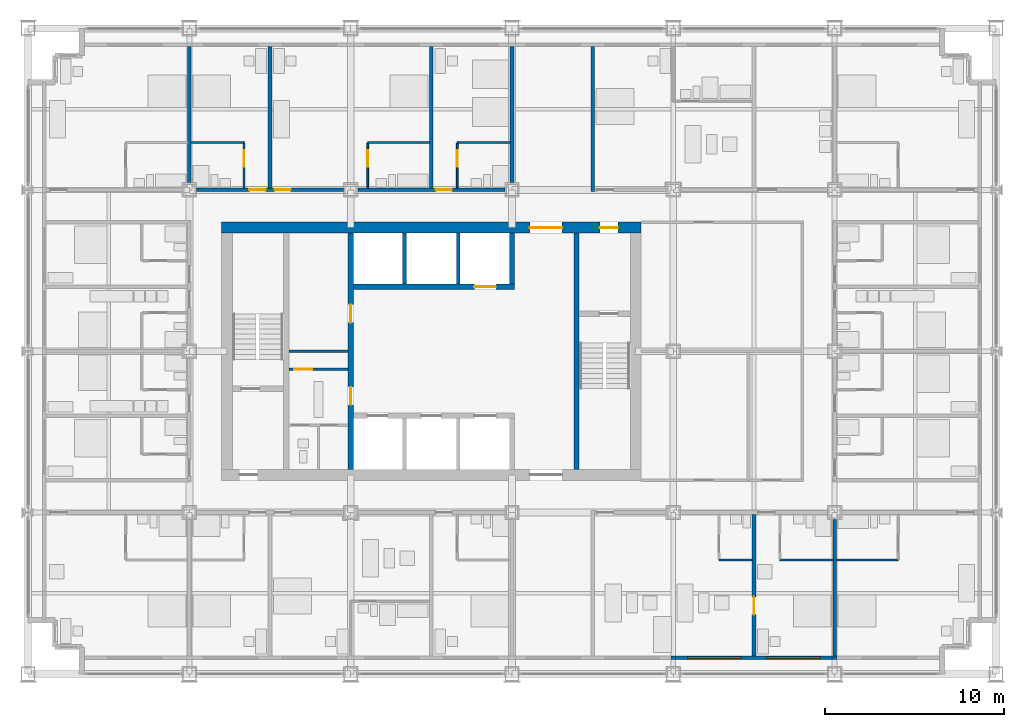
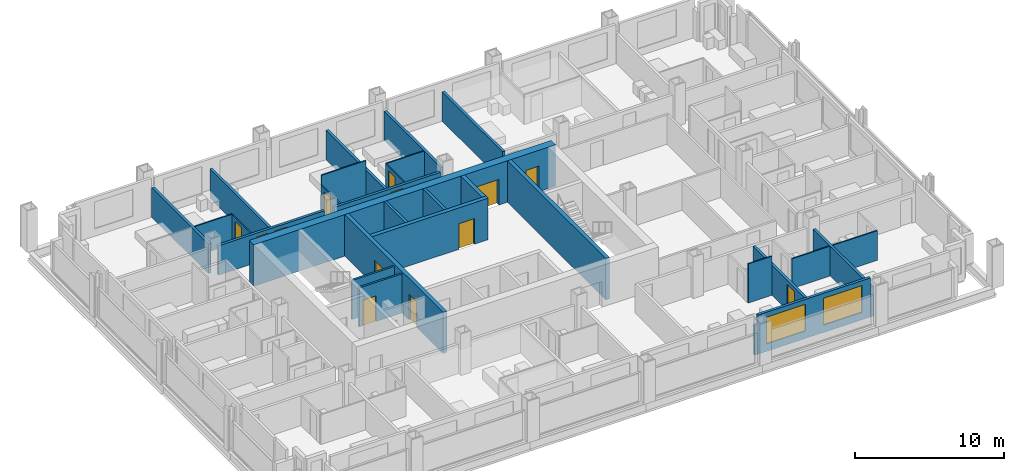
# One storey, part 12 of 18: 30 walls, 13 doors, 2 windows, 15 openings.
"""IFC4 building model written with IfcOpenShell, lengths in metres."""

from ifc_helpers import new_model, si_unit, direction, frame, frame_2d, origin, place, context, subcontext, project, spatial, rectangle, extrude, material, layer, layer_set, type_object, element, fill, save


model = new_model("IFC4")

# Units and contexts
model_context = context("Model", 3, precision=1e-05, world=origin(), true_north=direction((0.0, 1.0)))
body_context = subcontext(model_context, "Body", "Model", "MODEL_VIEW")
ifc_project = project(units=[si_unit("LENGTHUNIT", "METRE"), si_unit("AREAUNIT", "SQUARE_METRE"), si_unit("VOLUMEUNIT", "CUBIC_METRE"), si_unit("PLANEANGLEUNIT", "RADIAN"), si_unit("MASSUNIT", "GRAM", prefix="KILO")], contexts=[model_context])

# Site, building, storey
site_placement = place(None, origin())
site = spatial("IfcSite", under=ifc_project, at=site_placement, CompositionType="ELEMENT")
building_placement = place(site_placement, origin())
building = spatial("IfcBuilding", under=site, at=building_placement, Name="Loomwork Tower", CompositionType="ELEMENT")
storey_placement = place(building_placement, frame((0.0, 0.0, 58.60009765625)))
storey = spatial("IfcBuildingStorey", under=building, at=storey_placement, Name="L14", CompositionType="ELEMENT", Elevation=58.60009765625)

# Wall, openings, doors
ifc_material_1 = material(Name="Concrete 14000 psi (97 MPa)", Category="concrete")
ifc_layer_1 = layer(ifc_material_1, 0.300048828125)
ifc_layer_set_1 = layer_set([ifc_layer_1], Name="Core shear wall 300")
wall_type_1 = type_object("IfcWallType", Name="Core shear wall 300", PredefinedType="SHEAR", material=ifc_layer_set_1)
wall_1_placement = place(storey_placement, frame((18.0, 11.39990234375, 0.0), z_axis=(0.0, 0.0, 1.0), x_axis=(0.0, 1.0, 0.0)))
wall_1 = element("IfcWall", 1, at=wall_1_placement, inside=storey, type_object=wall_type_1, Name="Lobby west wall L14", PredefinedType="SHEAR", context=body_context, shape_type="SweptSolid", body=[
    extrude(rectangle(XDim=13.2001953125, YDim=0.300048828125, at=frame_2d((6.60009765625, 0.0))), origin(), (0.0, 0.0, 1.0), 3.39990234375),
])
opening_1_placement = place(wall_1_placement, frame((3.60009765625, 0.0, 0.0)))
opening_1 = element("IfcOpeningElement", 2, at=opening_1_placement, cuts=wall_1, Name="Opening D5", PredefinedType="OPENING", context=body_context, shape_type="SweptSolid", body=[
    extrude(rectangle(XDim=1.0, YDim=2.10009765625, at=frame_2d((0.5, 1.050048828125))), frame((0.0, 0.159912109375, 0.0), z_axis=(0.0, -1.0, 0.0), x_axis=(1.0, 0.0, 0.0)), (0.0, 0.0, 1.0), 0.320068359375),
])
opening_2_placement = place(wall_1_placement, frame((8.199951171875, 0.0, 0.0)))
opening_2 = element("IfcOpeningElement", 3, at=opening_2_placement, cuts=wall_1, Name="Opening D5", PredefinedType="OPENING", context=body_context, shape_type="SweptSolid", body=[
    extrude(rectangle(XDim=1.0, YDim=2.10009765625, at=frame_2d((0.5, 1.050048828125))), frame((0.0, 0.159912109375, 0.0), z_axis=(0.0, -1.0, 0.0), x_axis=(1.0, 0.0, 0.0)), (0.0, 0.0, 1.0), 0.320068359375),
])
ifc_material_2 = material(Name="Hollow metal door and frame")
door_type_1 = type_object("IfcDoorType", Name="Service door 1000", OperationType="SINGLE_SWING_LEFT", PredefinedType="DOOR", material=ifc_material_2)
door_1_placement = place(opening_1_placement, origin())
door_1 = element("IfcDoor", 4, at=door_1_placement, inside=storey, type_object=door_type_1, Name="Back-of-house door south", OperationType="SINGLE_SWING_LEFT", OverallHeight=2.10009765625, OverallWidth=1.0, PredefinedType="DOOR", context=body_context, shape_type="SweptSolid", body=[
    extrude(rectangle(XDim=1.0, YDim=2.10009765625, at=frame_2d((0.5, 1.050048828125))), frame((0.0, 0.02490234375, 0.0), z_axis=(0.0, -1.0, 0.0), x_axis=(1.0, 0.0, 0.0)), (0.0, 0.0, 1.0), 0.050048828125),
])
fill(opening_1, door_1)
door_2_placement = place(opening_2_placement, origin())
door_2 = element("IfcDoor", 5, at=door_2_placement, inside=storey, type_object=door_type_1, Name="Back-of-house door north", OperationType="SINGLE_SWING_RIGHT", OverallHeight=2.10009765625, OverallWidth=1.0, PredefinedType="DOOR", context=body_context, shape_type="SweptSolid", body=[
    extrude(rectangle(XDim=1.0, YDim=2.10009765625, at=frame_2d((0.5, 1.050048828125))), frame((0.0, 0.02490234375, 0.0), z_axis=(0.0, -1.0, 0.0), x_axis=(1.0, 0.0, 0.0)), (0.0, 0.0, 1.0), 0.050048828125),
])
fill(opening_2, door_2)

# Wall, opening, door
wall_2_placement = place(storey_placement, frame((18.14990234375, 21.60009765625, 0.0), z_axis=(0.0, 0.0, 1.0), x_axis=(1.0, 0.0, 0.0)))
wall_2 = element("IfcWall", 6, at=wall_2_placement, inside=storey, type_object=wall_type_1, Name="Lift front wall north L14", PredefinedType="SHEAR", context=body_context, shape_type="SweptSolid", body=[
    extrude(rectangle(XDim=9.0, YDim=0.300048828125, at=frame_2d((4.5, 0.0))), origin(), (0.0, 0.0, 1.0), 3.39990234375),
])
opening_3_placement = place(wall_2_placement, frame((6.75, 0.0, 0.0)))
opening_3 = element("IfcOpeningElement", 7, at=opening_3_placement, cuts=wall_2, Name="Opening LD2", PredefinedType="OPENING", context=body_context, shape_type="SweptSolid", body=[
    extrude(rectangle(XDim=1.199951171875, YDim=2.10009765625, at=frame_2d((0.60009765625, 1.050048828125))), frame((0.0, 0.159912109375, 0.0), z_axis=(0.0, -1.0, 0.0), x_axis=(1.0, 0.0, 0.0)), (0.0, 0.0, 1.0), 0.320068359375),
])
ifc_material_3 = material(Name="Hollow metal door and frame")
door_type_2 = type_object("IfcDoorType", Name="Lift landing door 1200", OperationType="SLIDING_TO_LEFT", PredefinedType="DOOR", material=ifc_material_3)
door_3_placement = place(opening_3_placement, origin())
door_3 = element("IfcDoor", 8, at=door_3_placement, inside=storey, type_object=door_type_2, Name="Lift landing door LF2", OperationType="SLIDING_TO_LEFT", OverallHeight=2.10009765625, OverallWidth=1.199951171875, PredefinedType="DOOR", context=body_context, shape_type="SweptSolid", body=[
    extrude(rectangle(XDim=1.199951171875, YDim=2.10009765625, at=frame_2d((0.60009765625, 1.050048828125))), frame((0.0, 0.02490234375, 0.0), z_axis=(0.0, -1.0, 0.0), x_axis=(1.0, 0.0, 0.0)), (0.0, 0.0, 1.0), 0.050048828125),
])
fill(opening_3, door_3)

# Walls
wall_3_placement = place(storey_placement, frame((27.0, 21.75, 0.0), z_axis=(0.0, 0.0, 1.0), x_axis=(0.0, 1.0, 0.0)))
element("IfcWall", 9, at=wall_3_placement, inside=storey, type_object=wall_type_1, Name="Lift shaft end wall north L14", PredefinedType="SHEAR", context=body_context, shape_type="SweptSolid", body=[
    extrude(rectangle(XDim=2.85009765625, YDim=0.300048828125, at=frame_2d((1.425048828125, 0.0))), origin(), (0.0, 0.0, 1.0), 3.39990234375),
])
wall_4_placement = place(storey_placement, frame((30.60009765625, 11.39990234375, 0.0), z_axis=(0.0, 0.0, 1.0), x_axis=(0.0, 1.0, 0.0)))
element("IfcWall", 10, at=wall_4_placement, inside=storey, type_object=wall_type_1, Name="Stair B west wall L14", PredefinedType="SHEAR", context=body_context, shape_type="SweptSolid", body=[
    extrude(rectangle(XDim=13.2001953125, YDim=0.300048828125, at=frame_2d((6.60009765625, 0.0))), origin(), (0.0, 0.0, 1.0), 3.39990234375),
])

# Wall, openings, doors
ifc_material_4 = material(Name="Concrete 14000 psi (97 MPa)", Category="concrete")
ifc_layer_2 = layer(ifc_material_4, 0.60009765625)
ifc_layer_set_2 = layer_set([ifc_layer_2], Name="Core shear wall 600")
wall_type_2 = type_object("IfcWallType", Name="Core shear wall 600", PredefinedType="SHEAR", material=ifc_layer_set_2)
wall_5_placement = place(storey_placement, frame((10.800048828125, 24.89990234375, 0.0), z_axis=(0.0, 0.0, 1.0), x_axis=(1.0, 0.0, 0.0)))
wall_5 = element("IfcWall", 11, at=wall_5_placement, inside=storey, type_object=wall_type_2, Name="Core wall north L14", PredefinedType="SHEAR", context=body_context, shape_type="SweptSolid", body=[
    extrude(rectangle(XDim=23.39990234375, YDim=0.60009765625, at=frame_2d((11.699951171875, 0.0))), origin(), (0.0, 0.0, 1.0), 3.39990234375),
])
opening_4_placement = place(wall_5_placement, frame((17.199951171875, 0.0, 0.0)))
opening_4 = element("IfcOpeningElement", 12, at=opening_4_placement, cuts=wall_5, Name="Opening D6", PredefinedType="OPENING", context=body_context, shape_type="SweptSolid", body=[
    extrude(rectangle(XDim=1.800048828125, YDim=2.10009765625, at=frame_2d((0.89990234375, 1.050048828125))), frame((0.0, 0.31005859375, 0.0), z_axis=(0.0, -1.0, 0.0), x_axis=(1.0, 0.0, 0.0)), (0.0, 0.0, 1.0), 0.6201171875),
])
opening_5_placement = place(wall_5_placement, frame((21.10009765625, 0.0, 0.0)))
opening_5 = element("IfcOpeningElement", 13, at=opening_5_placement, cuts=wall_5, Name="Opening D4", PredefinedType="OPENING", context=body_context, shape_type="SweptSolid", body=[
    extrude(rectangle(XDim=1.0, YDim=2.10009765625, at=frame_2d((0.5, 1.050048828125))), frame((0.0, 0.31005859375, 0.0), z_axis=(0.0, -1.0, 0.0), x_axis=(1.0, 0.0, 0.0)), (0.0, 0.0, 1.0), 0.6201171875),
])
ifc_material_5 = material(Name="Hollow metal door and frame")
door_type_3 = type_object("IfcDoorType", Name="Lobby passage double door 1800", OperationType="DOUBLE_DOOR_SINGLE_SWING", PredefinedType="DOOR", material=ifc_material_5)
door_4_placement = place(opening_4_placement, frame((1.800048828125, 0.0, 0.0), z_axis=(0.0, 0.0, 1.0), x_axis=(-1.0, 0.0, 0.0)))
door_4 = element("IfcDoor", 14, at=door_4_placement, inside=storey, type_object=door_type_3, Name="Lobby passage door north", OperationType="DOUBLE_DOOR_SINGLE_SWING", OverallHeight=2.10009765625, OverallWidth=1.800048828125, PredefinedType="DOOR", context=body_context, shape_type="SweptSolid", body=[
    extrude(rectangle(XDim=1.800048828125, YDim=2.10009765625, at=frame_2d((0.89990234375, 1.050048828125))), frame((0.0, 0.02490234375, 0.0), z_axis=(0.0, -1.0, 0.0), x_axis=(1.0, 0.0, 0.0)), (0.0, 0.0, 1.0), 0.050048828125),
])
fill(opening_4, door_4)
ifc_material_6 = material(Name="Hollow metal door and frame")
door_type_4 = type_object("IfcDoorType", Name="Stair door 1000", OperationType="SINGLE_SWING_RIGHT", PredefinedType="DOOR", material=ifc_material_6)
door_5_placement = place(opening_5_placement, frame((1.0, 0.0, 0.0), z_axis=(0.0, 0.0, 1.0), x_axis=(-1.0, 0.0, 0.0)))
door_5 = element("IfcDoor", 15, at=door_5_placement, inside=storey, type_object=door_type_4, Name="Stair B vestibule door", OperationType="SINGLE_SWING_LEFT", OverallHeight=2.10009765625, OverallWidth=1.0, PredefinedType="DOOR", context=body_context, shape_type="SweptSolid", body=[
    extrude(rectangle(XDim=1.0, YDim=2.10009765625, at=frame_2d((0.5, 1.050048828125))), frame((0.0, 0.02490234375, 0.0), z_axis=(0.0, -1.0, 0.0), x_axis=(1.0, 0.0, 0.0)), (0.0, 0.0, 1.0), 0.050048828125),
])
fill(opening_5, door_5)

ifc_material_7 = material(Name="Gypsum board on steel studs, one-hour", Category="steel")
ifc_layer_3 = layer(ifc_material_7, 0.199951171875)
ifc_layer_set_3 = layer_set([ifc_layer_3], Name="Corridor wall 200")
wall_type_3 = type_object("IfcWallType", Name="Corridor wall 200", PredefinedType="PARTITIONING", material=ifc_layer_set_3)
wall_6_placement = place(storey_placement, frame((9.39990234375, 27.0, 0.0), z_axis=(0.0, 0.0, 1.0), x_axis=(1.0, 0.0, 0.0)))
wall_6 = element("IfcWall", 16, at=wall_6_placement, inside=storey, type_object=wall_type_3, Name="North corridor wall 2", PredefinedType="PARTITIONING", context=body_context, shape_type="SweptSolid", body=[
    extrude(rectangle(XDim=8.2001953125, YDim=0.199951171875, at=frame_2d((4.10009765625, 0.0))), origin(), (0.0, 0.0, 1.0), 2.40478515625),
])
opening_6_placement = place(wall_6_placement, frame((2.949951171875, 0.0, 0.0)))
opening_6 = element("IfcOpeningElement", 17, at=opening_6_placement, cuts=wall_6, Name="Opening D1", PredefinedType="OPENING", context=body_context, shape_type="SweptSolid", body=[
    extrude(rectangle(XDim=0.89990234375, YDim=2.10009765625, at=frame_2d((0.449951171875, 1.050048828125))), frame((0.0, 0.10986328125, 0.0), z_axis=(0.0, -1.0, 0.0), x_axis=(1.0, 0.0, 0.0)), (0.0, 0.0, 1.0), 0.219970703125),
])
opening_7_placement = place(wall_6_placement, frame((4.35009765625, 0.0, 0.0)))
opening_7 = element("IfcOpeningElement", 18, at=opening_7_placement, cuts=wall_6, Name="Opening D1", PredefinedType="OPENING", context=body_context, shape_type="SweptSolid", body=[
    extrude(rectangle(XDim=0.89990234375, YDim=2.10009765625, at=frame_2d((0.449951171875, 1.050048828125))), frame((0.0, 0.10986328125, 0.0), z_axis=(0.0, -1.0, 0.0), x_axis=(1.0, 0.0, 0.0)), (0.0, 0.0, 1.0), 0.219970703125),
])
ifc_material_8 = material(Name="Hollow metal door and frame")
door_type_5 = type_object("IfcDoorType", Name="Guest room entry door 900", OperationType="SINGLE_SWING_LEFT", PredefinedType="DOOR", material=ifc_material_8)
door_6_placement = place(opening_6_placement, origin())
door_6 = element("IfcDoor", 19, at=door_6_placement, inside=storey, type_object=door_type_5, Name="Guest room entry door L14 9", OperationType="SINGLE_SWING_RIGHT", OverallHeight=2.10009765625, OverallWidth=0.89990234375, PredefinedType="DOOR", context=body_context, shape_type="SweptSolid", body=[
    extrude(rectangle(XDim=0.89990234375, YDim=2.10009765625, at=frame_2d((0.449951171875, 1.050048828125))), frame((0.0, 0.02490234375, 0.0), z_axis=(0.0, -1.0, 0.0), x_axis=(1.0, 0.0, 0.0)), (0.0, 0.0, 1.0), 0.050048828125),
])
fill(opening_6, door_6)
door_7_placement = place(opening_7_placement, origin())
door_7 = element("IfcDoor", 20, at=door_7_placement, inside=storey, type_object=door_type_5, Name="Guest room entry door L14 10", OperationType="SINGLE_SWING_LEFT", OverallHeight=2.10009765625, OverallWidth=0.89990234375, PredefinedType="DOOR", context=body_context, shape_type="SweptSolid", body=[
    extrude(rectangle(XDim=0.89990234375, YDim=2.10009765625, at=frame_2d((0.449951171875, 1.050048828125))), frame((0.0, 0.02490234375, 0.0), z_axis=(0.0, -1.0, 0.0), x_axis=(1.0, 0.0, 0.0)), (0.0, 0.0, 1.0), 0.050048828125),
])
fill(opening_7, door_7)

# Wall, opening, door
wall_7_placement = place(storey_placement, frame((18.39990234375, 27.0, 0.0), z_axis=(0.0, 0.0, 1.0), x_axis=(1.0, 0.0, 0.0)))
wall_7 = element("IfcWall", 21, at=wall_7_placement, inside=storey, type_object=wall_type_3, Name="North corridor wall 3", PredefinedType="PARTITIONING", context=body_context, shape_type="SweptSolid", body=[
    extrude(rectangle(XDim=8.2001953125, YDim=0.199951171875, at=frame_2d((4.10009765625, 0.0))), origin(), (0.0, 0.0, 1.0), 2.40478515625),
])
opening_8_placement = place(wall_7_placement, frame((4.35009765625, 0.0, 0.0)))
opening_8 = element("IfcOpeningElement", 22, at=opening_8_placement, cuts=wall_7, Name="Opening D1", PredefinedType="OPENING", context=body_context, shape_type="SweptSolid", body=[
    extrude(rectangle(XDim=0.89990234375, YDim=2.10009765625, at=frame_2d((0.449951171875, 1.050048828125))), frame((0.0, 0.10986328125, 0.0), z_axis=(0.0, -1.0, 0.0), x_axis=(1.0, 0.0, 0.0)), (0.0, 0.0, 1.0), 0.219970703125),
])
door_8_placement = place(opening_8_placement, origin())
door_8 = element("IfcDoor", 23, at=door_8_placement, inside=storey, type_object=door_type_5, Name="Guest room entry door L14 11", OperationType="SINGLE_SWING_LEFT", OverallHeight=2.10009765625, OverallWidth=0.89990234375, PredefinedType="DOOR", context=body_context, shape_type="SweptSolid", body=[
    extrude(rectangle(XDim=0.89990234375, YDim=2.10009765625, at=frame_2d((0.449951171875, 1.050048828125))), frame((0.0, 0.02490234375, 0.0), z_axis=(0.0, -1.0, 0.0), x_axis=(1.0, 0.0, 0.0)), (0.0, 0.0, 1.0), 0.050048828125),
])
fill(opening_8, door_8)

# Walls
ifc_material_9 = material(Name="Cement board on steel studs", Category="steel")
ifc_layer_4 = layer(ifc_material_9, 0.10009765625)
ifc_layer_set_4 = layer_set([ifc_layer_4], Name="En-suite partition 100")
wall_type_4 = type_object("IfcWallType", Name="En-suite partition 100", PredefinedType="PARTITIONING", material=ifc_layer_set_4)
wall_8_placement = place(storey_placement, frame((38.550048828125, 6.35009765625, 0.0), z_axis=(0.0, 0.0, 1.0), x_axis=(1.0, 0.0, 0.0)))
element("IfcWall", 24, at=wall_8_placement, inside=storey, type_object=wall_type_4, Name="En-suite wall L14 room 5", PredefinedType="PARTITIONING", context=body_context, shape_type="SweptSolid", body=[
    extrude(rectangle(XDim=1.849853515625, YDim=0.10009765625, at=frame_2d((0.9248046875, 0.0))), origin(), (0.0, 0.0, 1.0), 3.199951171875),
])
wall_9_placement = place(storey_placement, frame((41.949951171875, 6.35009765625, 0.0), z_axis=(0.0, 0.0, 1.0), x_axis=(1.0, 0.0, 0.0)))
element("IfcWall", 25, at=wall_9_placement, inside=storey, type_object=wall_type_4, Name="En-suite wall L14 room 6", PredefinedType="PARTITIONING", context=body_context, shape_type="SweptSolid", body=[
    extrude(rectangle(XDim=2.949951171875, YDim=0.10009765625, at=frame_2d((1.47509765625, 0.0))), origin(), (0.0, 0.0, 1.0), 2.43798828125),
])
wall_10_placement = place(storey_placement, frame((45.10009765625, 6.35009765625, 0.0), z_axis=(0.0, 0.0, 1.0), x_axis=(1.0, 0.0, 0.0)))
element("IfcWall", 26, at=wall_10_placement, inside=storey, type_object=wall_type_4, Name="En-suite wall L14 room 7", PredefinedType="PARTITIONING", context=body_context, shape_type="SweptSolid", body=[
    extrude(rectangle(XDim=3.449951171875, YDim=0.10009765625, at=frame_2d((1.72509765625, 0.0))), origin(), (0.0, 0.0, 1.0), 2.43798828125),
])
wall_11_placement = place(storey_placement, frame((9.10009765625, 29.64990234375, 0.0), z_axis=(0.0, 0.0, 1.0), x_axis=(1.0, 0.0, 0.0)))
element("IfcWall", 27, at=wall_11_placement, inside=storey, type_object=wall_type_4, Name="En-suite wall L14 room 9", PredefinedType="PARTITIONING", context=body_context, shape_type="SweptSolid", body=[
    extrude(rectangle(XDim=2.949951171875, YDim=0.10009765625, at=frame_2d((1.47509765625, 0.0))), origin(), (0.0, 0.0, 1.0), 2.43798828125),
])

# Wall, opening, door
wall_12_placement = place(storey_placement, frame((12.050048828125, 27.10009765625, 0.0), z_axis=(0.0, 0.0, 1.0), x_axis=(0.0, 1.0, 0.0)))
wall_12 = element("IfcWall", 28, at=wall_12_placement, inside=storey, type_object=wall_type_4, Name="En-suite side wall L14 room 9", PredefinedType="PARTITIONING", context=body_context, shape_type="SweptSolid", body=[
    extrude(rectangle(XDim=2.5, YDim=0.10009765625, at=frame_2d((1.25, 0.0))), origin(), (0.0, 0.0, 1.0), 2.40380859375),
])
opening_9_placement = place(wall_12_placement, frame((1.199951171875, 0.0, 0.0)))
opening_9 = element("IfcOpeningElement", 29, at=opening_9_placement, cuts=wall_12, Name="Opening D2", PredefinedType="OPENING", context=body_context, shape_type="SweptSolid", body=[
    extrude(rectangle(XDim=0.89990234375, YDim=2.10009765625, at=frame_2d((0.449951171875, 1.050048828125))), frame((0.0, 0.06005859375, 0.0), z_axis=(0.0, -1.0, 0.0), x_axis=(1.0, 0.0, 0.0)), (0.0, 0.0, 1.0), 0.1201171875),
])
ifc_material_10 = material(Name="Hollow metal door and frame")
door_type_6 = type_object("IfcDoorType", Name="En-suite door 900", OperationType="SINGLE_SWING_LEFT", PredefinedType="DOOR", material=ifc_material_10)
door_9_placement = place(opening_9_placement, origin())
door_9 = element("IfcDoor", 30, at=door_9_placement, inside=storey, type_object=door_type_6, Name="En-suite door room 9", OperationType="SINGLE_SWING_RIGHT", OverallHeight=2.10009765625, OverallWidth=0.89990234375, PredefinedType="DOOR", context=body_context, shape_type="SweptSolid", body=[
    extrude(rectangle(XDim=0.89990234375, YDim=2.10009765625, at=frame_2d((0.449951171875, 1.050048828125))), frame((0.0, 0.02490234375, 0.0), z_axis=(0.0, -1.0, 0.0), x_axis=(1.0, 0.0, 0.0)), (0.0, 0.0, 1.0), 0.050048828125),
])
fill(opening_9, door_9)

# Wall
wall_13_placement = place(storey_placement, frame((18.949951171875, 29.64990234375, 0.0), z_axis=(0.0, 0.0, 1.0), x_axis=(1.0, 0.0, 0.0)))
element("IfcWall", 31, at=wall_13_placement, inside=storey, type_object=wall_type_4, Name="En-suite wall L14 room 10", PredefinedType="PARTITIONING", context=body_context, shape_type="SweptSolid", body=[
    extrude(rectangle(XDim=3.449951171875, YDim=0.10009765625, at=frame_2d((1.72509765625, 0.0))), origin(), (0.0, 0.0, 1.0), 3.199951171875),
])

# Wall, opening, door
wall_14_placement = place(storey_placement, frame((18.949951171875, 27.10009765625, 0.0), z_axis=(0.0, 0.0, 1.0), x_axis=(0.0, 1.0, 0.0)))
wall_14 = element("IfcWall", 32, at=wall_14_placement, inside=storey, type_object=wall_type_4, Name="En-suite side wall L14 room 10", PredefinedType="PARTITIONING", context=body_context, shape_type="SweptSolid", body=[
    extrude(rectangle(XDim=2.5, YDim=0.10009765625, at=frame_2d((1.25, 0.0))), origin(), (0.0, 0.0, 1.0), 2.40380859375),
])
opening_10_placement = place(wall_14_placement, frame((1.199951171875, 0.0, 0.0)))
opening_10 = element("IfcOpeningElement", 33, at=opening_10_placement, cuts=wall_14, Name="Opening D2", PredefinedType="OPENING", context=body_context, shape_type="SweptSolid", body=[
    extrude(rectangle(XDim=0.89990234375, YDim=2.10009765625, at=frame_2d((0.449951171875, 1.050048828125))), frame((0.0, 0.06005859375, 0.0), z_axis=(0.0, -1.0, 0.0), x_axis=(1.0, 0.0, 0.0)), (0.0, 0.0, 1.0), 0.1201171875),
])
door_10_placement = place(opening_10_placement, frame((0.89990234375, 0.0, 0.0), z_axis=(0.0, 0.0, 1.0), x_axis=(-1.0, 0.0, 0.0)))
door_10 = element("IfcDoor", 34, at=door_10_placement, inside=storey, type_object=door_type_6, Name="En-suite door room 10", OperationType="SINGLE_SWING_LEFT", OverallHeight=2.10009765625, OverallWidth=0.89990234375, PredefinedType="DOOR", context=body_context, shape_type="SweptSolid", body=[
    extrude(rectangle(XDim=0.89990234375, YDim=2.10009765625, at=frame_2d((0.449951171875, 1.050048828125))), frame((0.0, 0.02490234375, 0.0), z_axis=(0.0, -1.0, 0.0), x_axis=(1.0, 0.0, 0.0)), (0.0, 0.0, 1.0), 0.050048828125),
])
fill(opening_10, door_10)

# Wall
wall_15_placement = place(storey_placement, frame((23.949951171875, 29.64990234375, 0.0), z_axis=(0.0, 0.0, 1.0), x_axis=(1.0, 0.0, 0.0)))
element("IfcWall", 35, at=wall_15_placement, inside=storey, type_object=wall_type_4, Name="En-suite wall L14 room 11", PredefinedType="PARTITIONING", context=body_context, shape_type="SweptSolid", body=[
    extrude(rectangle(XDim=2.949951171875, YDim=0.10009765625, at=frame_2d((1.47509765625, 0.0))), origin(), (0.0, 0.0, 1.0), 2.40380859375),
])

# Wall, opening, door
wall_16_placement = place(storey_placement, frame((23.949951171875, 27.10009765625, 0.0), z_axis=(0.0, 0.0, 1.0), x_axis=(0.0, 1.0, 0.0)))
wall_16 = element("IfcWall", 36, at=wall_16_placement, inside=storey, type_object=wall_type_4, Name="En-suite side wall L14 room 11", PredefinedType="PARTITIONING", context=body_context, shape_type="SweptSolid", body=[
    extrude(rectangle(XDim=2.5, YDim=0.10009765625, at=frame_2d((1.25, 0.0))), origin(), (0.0, 0.0, 1.0), 2.40380859375),
])
opening_11_placement = place(wall_16_placement, frame((1.199951171875, 0.0, 0.0)))
opening_11 = element("IfcOpeningElement", 37, at=opening_11_placement, cuts=wall_16, Name="Opening D2", PredefinedType="OPENING", context=body_context, shape_type="SweptSolid", body=[
    extrude(rectangle(XDim=0.89990234375, YDim=2.10009765625, at=frame_2d((0.449951171875, 1.050048828125))), frame((0.0, 0.06005859375, 0.0), z_axis=(0.0, -1.0, 0.0), x_axis=(1.0, 0.0, 0.0)), (0.0, 0.0, 1.0), 0.1201171875),
])
door_11_placement = place(opening_11_placement, frame((0.89990234375, 0.0, 0.0), z_axis=(0.0, 0.0, 1.0), x_axis=(-1.0, 0.0, 0.0)))
door_11 = element("IfcDoor", 38, at=door_11_placement, inside=storey, type_object=door_type_6, Name="En-suite door room 11", OperationType="SINGLE_SWING_LEFT", OverallHeight=2.10009765625, OverallWidth=0.89990234375, PredefinedType="DOOR", context=body_context, shape_type="SweptSolid", body=[
    extrude(rectangle(XDim=0.89990234375, YDim=2.10009765625, at=frame_2d((0.449951171875, 1.050048828125))), frame((0.0, 0.02490234375, 0.0), z_axis=(0.0, -1.0, 0.0), x_axis=(1.0, 0.0, 0.0)), (0.0, 0.0, 1.0), 0.050048828125),
])
fill(opening_11, door_11)

ifc_material_11 = material(Name="Gypsum board on steel studs, acoustic", Category="steel")
ifc_layer_5 = layer(ifc_material_11, 0.199951171875)
ifc_layer_set_5 = layer_set([ifc_layer_5], Name="Guest room party wall 200")
wall_type_5 = type_object("IfcWallType", Name="Guest room party wall 200", PredefinedType="PARTITIONING", material=ifc_layer_set_5)
wall_17_placement = place(storey_placement, frame((40.5, 8.89990234375, 0.0), z_axis=(0.0, 0.0, 1.0), x_axis=(0.0, -1.0, 0.0)))
wall_17 = element("IfcWall", 39, at=wall_17_placement, inside=storey, type_object=wall_type_5, Name="Guest room party wall S 40.5", PredefinedType="PARTITIONING", context=body_context, shape_type="SweptSolid", body=[
    extrude(rectangle(XDim=7.89990234375, YDim=0.199951171875, at=frame_2d((3.949951171875, 0.0))), origin(), (0.0, 0.0, 1.0), 2.43798828125),
])
opening_12_placement = place(wall_17_placement, frame((4.60009765625, 0.0, 0.0)))
opening_12 = element("IfcOpeningElement", 40, at=opening_12_placement, cuts=wall_17, Name="Opening D7", PredefinedType="OPENING", context=body_context, shape_type="SweptSolid", body=[
    extrude(rectangle(XDim=1.0, YDim=2.10009765625, at=frame_2d((0.5, 1.050048828125))), frame((0.0, 0.10986328125, 0.0), z_axis=(0.0, -1.0, 0.0), x_axis=(1.0, 0.0, 0.0)), (0.0, 0.0, 1.0), 0.219970703125),
])
ifc_material_12 = material(Name="Hollow metal door and frame")
door_type_7 = type_object("IfcDoorType", Name="Room door 1000", OperationType="SINGLE_SWING_LEFT", PredefinedType="DOOR", material=ifc_material_12)
door_12_placement = place(opening_12_placement, origin())
door_12 = element("IfcDoor", 41, at=door_12_placement, inside=storey, type_object=door_type_7, Name="Suite connecting door L14 S 40.5", OperationType="SINGLE_SWING_LEFT", OverallHeight=2.10009765625, OverallWidth=1.0, PredefinedType="DOOR", context=body_context, shape_type="SweptSolid", body=[
    extrude(rectangle(XDim=1.0, YDim=2.10009765625, at=frame_2d((0.5, 1.050048828125))), frame((0.0, 0.02490234375, 0.0), z_axis=(0.0, -1.0, 0.0), x_axis=(1.0, 0.0, 0.0)), (0.0, 0.0, 1.0), 0.050048828125),
])
fill(opening_12, door_12)

# Walls
for number, where, z_axis, x_axis, name in (
    (42, (45.0, 8.60009765625, 0.0), (0.0, 0.0, 1.0), (0.0, -1.0, 0.0), "Guest room party wall S 45"),
    (43, (9.0, 27.39990234375, 0.0), (0.0, 0.0, 1.0), (0.0, 1.0, 0.0), "Guest room party wall N 9"),
):
    element("IfcWall", number, at=place(storey_placement, frame(where, z_axis=z_axis, x_axis=x_axis)), inside=storey, type_object=wall_type_5, Name=name, PredefinedType="PARTITIONING", context=body_context, shape_type="SweptSolid", body=[
        extrude(rectangle(XDim=7.60009765625, YDim=0.199951171875, at=frame_2d((3.800048828125, 0.0))), origin(), (0.0, 0.0, 1.0), 2.43798828125),
    ])
for number, where, z_axis, x_axis, name in (
    (44, (13.5, 27.10009765625, 0.0), (0.0, 0.0, 1.0), (0.0, 1.0, 0.0), "Guest room party wall N 13.5"),
    (45, (22.5, 27.10009765625, 0.0), (0.0, 0.0, 1.0), (0.0, 1.0, 0.0), "Guest room party wall N 22.5"),
):
    element("IfcWall", number, at=place(storey_placement, frame(where, z_axis=z_axis, x_axis=x_axis)), inside=storey, type_object=wall_type_5, Name=name, PredefinedType="PARTITIONING", context=body_context, shape_type="SweptSolid", body=[
        extrude(rectangle(XDim=7.89990234375, YDim=0.199951171875, at=frame_2d((3.949951171875, 0.0))), origin(), (0.0, 0.0, 1.0), 2.40380859375),
    ])
wall_18_placement = place(storey_placement, frame((27.0, 27.39990234375, 0.0), z_axis=(0.0, 0.0, 1.0), x_axis=(0.0, 1.0, 0.0)))
element("IfcWall", 46, at=wall_18_placement, inside=storey, type_object=wall_type_5, Name="Guest room party wall N 27", PredefinedType="PARTITIONING", context=body_context, shape_type="SweptSolid", body=[
    extrude(rectangle(XDim=7.60009765625, YDim=0.199951171875, at=frame_2d((3.800048828125, 0.0))), origin(), (0.0, 0.0, 1.0), 2.40478515625),
])
wall_19_placement = place(storey_placement, frame((31.5, 26.89990234375, 0.0), z_axis=(0.0, 0.0, 1.0), x_axis=(0.0, 1.0, 0.0)))
element("IfcWall", 47, at=wall_19_placement, inside=storey, type_object=wall_type_5, Name="Guest room party wall N 31.5", PredefinedType="PARTITIONING", context=body_context, shape_type="SweptSolid", body=[
    extrude(rectangle(XDim=8.10009765625, YDim=0.199951171875, at=frame_2d((4.050048828125, 0.0))), origin(), (0.0, 0.0, 1.0), 2.40380859375),
])
ifc_material_13 = material(Name="Insulated steel stud wall with gypsum lining", Category="steel")
ifc_layer_6 = layer(ifc_material_13, 0.199951171875)
ifc_layer_set_6 = layer_set([ifc_layer_6], Name="Inner skin wall 200")
wall_type_6 = type_object("IfcWallType", Name="Inner skin wall 200", PredefinedType="SOLIDWALL", material=ifc_layer_set_6)
wall_20_placement = place(storey_placement, frame((35.864501953125, 0.89990234375, 0.0), z_axis=(0.0, 0.0, 1.0), x_axis=(1.0, 0.0, 0.0)))
element("IfcWall", 48, at=wall_20_placement, inside=storey, type_object=wall_type_6, Name="Inner skin wall S bay 8", PredefinedType="SOLIDWALL", context=body_context, shape_type="SweptSolid", body=[
    extrude(rectangle(XDim=0.27099609375, YDim=0.199951171875, at=frame_2d((0.135498046875, 0.0))), origin(), (0.0, 0.0, 1.0), 2.43798828125),
])

# Wall, openings, windows
wall_21_placement = place(storey_placement, frame((36.135498046875, 0.89990234375, 0.0), z_axis=(0.0, 0.0, 1.0), x_axis=(1.0, 0.0, 0.0)))
wall_21 = element("IfcWall", 49, at=wall_21_placement, inside=storey, type_object=wall_type_6, Name="Inner skin wall S bay 9", PredefinedType="SOLIDWALL", context=body_context, shape_type="SweptSolid", body=[
    extrude(rectangle(XDim=8.72900390625, YDim=0.199951171875, at=frame_2d((4.364501953125, 0.0))), origin(), (0.0, 0.0, 1.0), 3.199951171875),
])
opening_13_placement = place(wall_21_placement, frame((0.66455078125, 0.0, 0.60009765625)))
opening_13 = element("IfcOpeningElement", 50, at=opening_13_placement, cuts=wall_21, Name="Opening CH1", PredefinedType="OPENING", context=body_context, shape_type="SweptSolid", body=[
    extrude(rectangle(XDim=3.0, YDim=2.199951171875, at=frame_2d((1.5, 1.10009765625))), frame((0.0, 0.10986328125, 0.0), z_axis=(0.0, -1.0, 0.0), x_axis=(1.0, 0.0, 0.0)), (0.0, 0.0, 1.0), 0.219970703125),
])
opening_14_placement = place(wall_21_placement, frame((5.064697265625, 0.0, 0.60009765625)))
opening_14 = element("IfcOpeningElement", 51, at=opening_14_placement, cuts=wall_21, Name="Opening CH1", PredefinedType="OPENING", context=body_context, shape_type="SweptSolid", body=[
    extrude(rectangle(XDim=3.0, YDim=2.199951171875, at=frame_2d((1.5, 1.10009765625))), frame((0.0, 0.10986328125, 0.0), z_axis=(0.0, -1.0, 0.0), x_axis=(1.0, 0.0, 0.0)), (0.0, 0.0, 1.0), 0.219970703125),
])
ifc_material_14 = material(Name="Aluminium frame with clear insulated glass", Category="aluminium")
window_type = type_object("IfcWindowType", Name="Chicago window 3000", PartitioningType="TRIPLE_PANEL_VERTICAL", PredefinedType="WINDOW", material=ifc_material_14)
window_1_placement = place(opening_13_placement, origin())
window_1 = element("IfcWindow", 52, at=window_1_placement, inside=storey, type_object=window_type, Name="Chicago window L14 bay 5", OverallHeight=2.199951171875, OverallWidth=3.0, PartitioningType="TRIPLE_PANEL_VERTICAL", PredefinedType="WINDOW", context=body_context, shape_type="SweptSolid", body=[
    extrude(rectangle(XDim=3.0, YDim=2.199951171875, at=frame_2d((1.5, 1.10009765625))), frame((0.0, 0.030029296875, 0.0), z_axis=(0.0, -1.0, 0.0), x_axis=(1.0, 0.0, 0.0)), (0.0, 0.0, 1.0), 0.06005859375),
])
fill(opening_13, window_1)
window_2_placement = place(opening_14_placement, origin())
window_2 = element("IfcWindow", 53, at=window_2_placement, inside=storey, type_object=window_type, Name="Chicago window L14 bay 5", OverallHeight=2.199951171875, OverallWidth=3.0, PartitioningType="TRIPLE_PANEL_VERTICAL", PredefinedType="WINDOW", context=body_context, shape_type="SweptSolid", body=[
    extrude(rectangle(XDim=3.0, YDim=2.199951171875, at=frame_2d((1.5, 1.10009765625))), frame((0.0, 0.030029296875, 0.0), z_axis=(0.0, -1.0, 0.0), x_axis=(1.0, 0.0, 0.0)), (0.0, 0.0, 1.0), 0.06005859375),
])
fill(opening_14, window_2)

# Walls
wall_22_placement = place(storey_placement, frame((44.864501953125, 0.89990234375, 0.0), z_axis=(0.0, 0.0, 1.0), x_axis=(1.0, 0.0, 0.0)))
element("IfcWall", 54, at=wall_22_placement, inside=storey, type_object=wall_type_6, Name="Inner skin wall S bay 10", PredefinedType="SOLIDWALL", context=body_context, shape_type="SweptSolid", body=[
    extrude(rectangle(XDim=0.27099609375, YDim=0.199951171875, at=frame_2d((0.135498046875, 0.0))), origin(), (0.0, 0.0, 1.0), 2.43798828125),
])
ifc_material_15 = material(Name="Concrete 14000 psi (97 MPa)", Category="concrete")
ifc_layer_7 = layer(ifc_material_15, 0.199951171875)
ifc_layer_set_7 = layer_set([ifc_layer_7], Name="Lift shaft wall 200")
wall_type_7 = type_object("IfcWallType", Name="Lift shaft wall 200", PredefinedType="SHEAR", material=ifc_layer_set_7)
for number, where, z_axis, x_axis, name in (
    (55, (21.0, 21.75, 0.0), (0.0, 0.0, 1.0), (0.0, 1.0, 0.0), "Lift shaft separation wall north 1 L14"),
    (56, (24.0, 21.75, 0.0), (0.0, 0.0, 1.0), (0.0, 1.0, 0.0), "Lift shaft separation wall north 2 L14"),
):
    element("IfcWall", number, at=place(storey_placement, frame(where, z_axis=z_axis, x_axis=x_axis)), inside=storey, type_object=wall_type_7, Name=name, PredefinedType="SHEAR", context=body_context, shape_type="SweptSolid", body=[
        extrude(rectangle(XDim=2.85009765625, YDim=0.199951171875, at=frame_2d((1.425048828125, 0.0))), origin(), (0.0, 0.0, 1.0), 3.39990234375),
    ])
ifc_material_16 = material(Name="Gypsum board on steel studs", Category="steel")
ifc_layer_8 = layer(ifc_material_16, 0.14990234375)
ifc_layer_set_8 = layer_set([ifc_layer_8], Name="Partition 150 two-hour")
wall_type_8 = type_object("IfcWallType", Name="Partition 150 two-hour", PredefinedType="PARTITIONING", material=ifc_layer_set_8)
wall_23_placement = place(storey_placement, frame((14.550048828125, 18.0, 0.0), z_axis=(0.0, 0.0, 1.0), x_axis=(1.0, 0.0, 0.0)))
element("IfcWall", 57, at=wall_23_placement, inside=storey, type_object=wall_type_8, Name="Back-of-house dividing wall L14", PredefinedType="PARTITIONING", context=body_context, shape_type="SweptSolid", body=[
    extrude(rectangle(XDim=3.300048828125, YDim=0.14990234375, at=frame_2d((1.64990234375, 0.0))), origin(), (0.0, 0.0, 1.0), 3.199951171875),
])

# Wall, opening, door
ifc_material_17 = material(Name="Gypsum board on steel studs, one-hour", Category="steel")
ifc_layer_9 = layer(ifc_material_17, 0.14990234375)
ifc_layer_set_9 = layer_set([ifc_layer_9], Name="Service partition 150")
wall_type_9 = type_object("IfcWallType", Name="Service partition 150", PredefinedType="PARTITIONING", material=ifc_layer_set_9)
wall_24_placement = place(storey_placement, frame((14.550048828125, 17.0, 0.0), z_axis=(0.0, 0.0, 1.0), x_axis=(1.0, 0.0, 0.0)))
wall_24 = element("IfcWall", 58, at=wall_24_placement, inside=storey, type_object=wall_type_9, Name="Riser enclosure L14", PredefinedType="PARTITIONING", context=body_context, shape_type="SweptSolid", body=[
    extrude(rectangle(XDim=3.300048828125, YDim=0.14990234375, at=frame_2d((1.64990234375, 0.0))), origin(), (0.0, 0.0, 1.0), 3.199951171875),
])
opening_15_placement = place(wall_24_placement, frame((0.300048828125, 0.0, 0.0)))
opening_15 = element("IfcOpeningElement", 59, at=opening_15_placement, cuts=wall_24, Name="Opening D18", PredefinedType="OPENING", context=body_context, shape_type="SweptSolid", body=[
    extrude(rectangle(XDim=1.0, YDim=2.10009765625, at=frame_2d((0.5, 1.050048828125))), frame((0.0, 0.0849609375, 0.0), z_axis=(0.0, -1.0, 0.0), x_axis=(1.0, 0.0, 0.0)), (0.0, 0.0, 1.0), 0.169921875),
])
ifc_material_18 = material(Name="Hollow metal door and frame")
door_type_8 = type_object("IfcDoorType", Name="Ninety-minute service door 1000", OperationType="SINGLE_SWING_LEFT", PredefinedType="DOOR", material=ifc_material_18)
door_13_placement = place(opening_15_placement, frame((1.0, 0.0, 0.0), z_axis=(0.0, 0.0, 1.0), x_axis=(-1.0, 0.0, 0.0)))
door_13 = element("IfcDoor", 60, at=door_13_placement, inside=storey, type_object=door_type_8, Name="Riser access door", OperationType="SINGLE_SWING_RIGHT", OverallHeight=2.10009765625, OverallWidth=1.0, PredefinedType="DOOR", context=body_context, shape_type="SweptSolid", body=[
    extrude(rectangle(XDim=1.0, YDim=2.10009765625, at=frame_2d((0.5, 1.050048828125))), frame((0.0, 0.02490234375, 0.0), z_axis=(0.0, -1.0, 0.0), x_axis=(1.0, 0.0, 0.0)), (0.0, 0.0, 1.0), 0.050048828125),
])
fill(opening_15, door_13)

save(model, "model.ifc")
